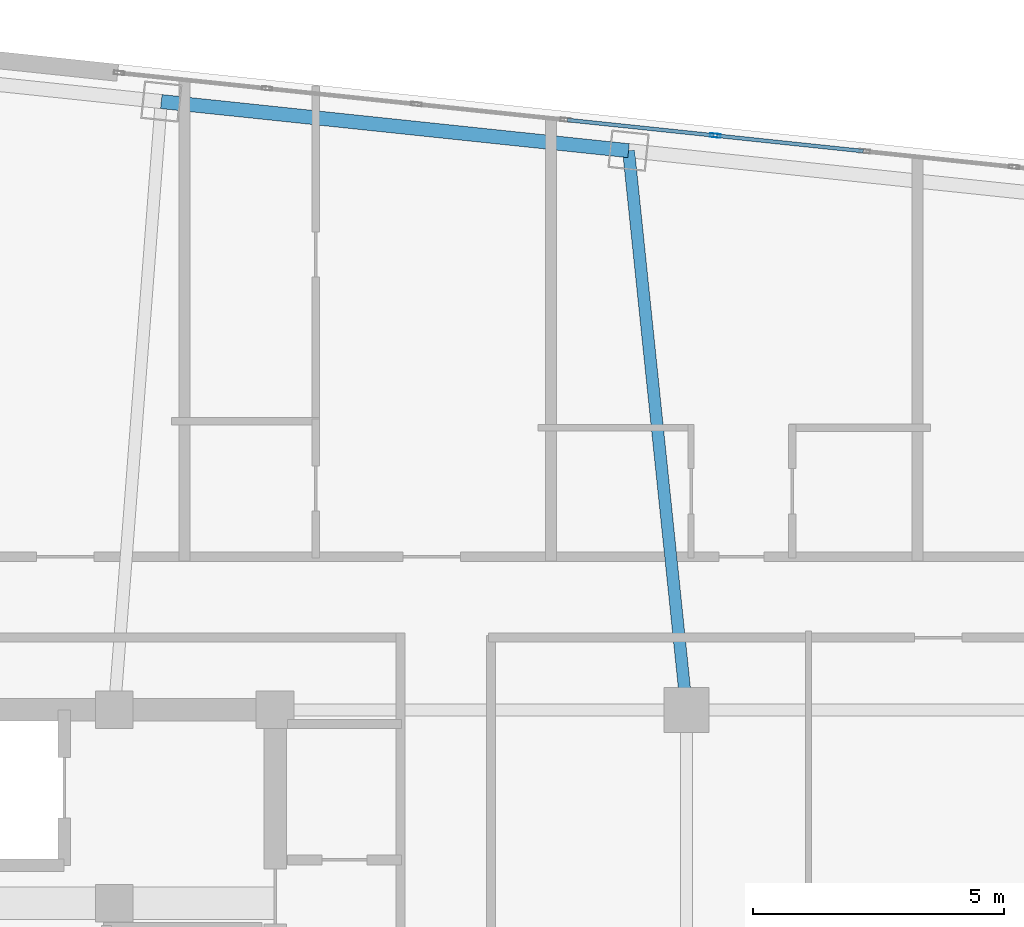
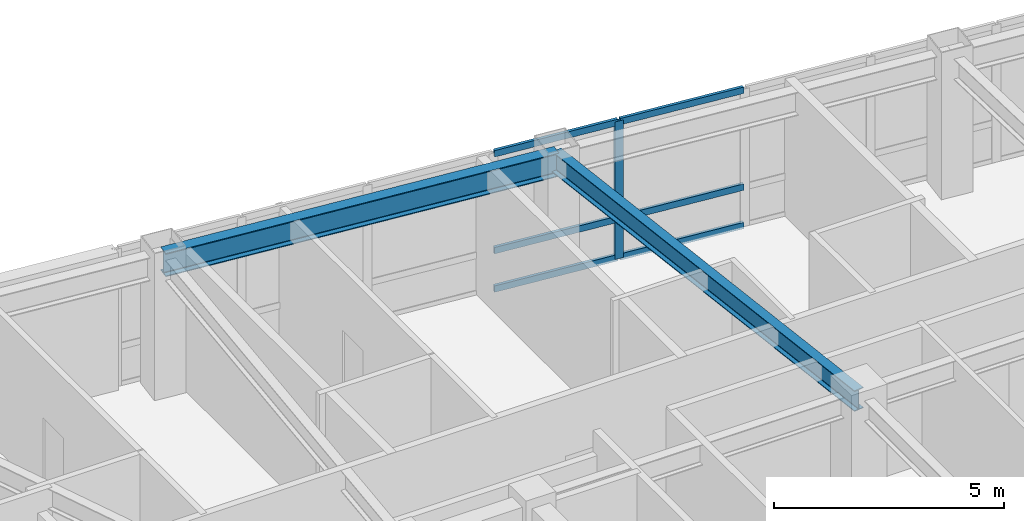
# One storey, part 3 of 15: 7 members, 2 beams, 1 element without a shape of its own.
"""IFC4 building model written with IfcOpenShell, lengths in metres."""

from ifc_helpers import new_model, si_unit, direction, frame, origin, origin_2d, place, context, subcontext, project, spatial, hollow_rectangle, i_section, extrude, material, layer, layer_set, material_profile, profile_set, type_object, element, aggregate, save


model = new_model("IFC4")

# Units and contexts
model_context = context("Model", 3, precision=1e-05, world=origin(), true_north=direction((0.0, 1.0)))
body_context = subcontext(model_context, "Body", "Model", "MODEL_VIEW")
ifc_project = project(units=[si_unit("LENGTHUNIT", "METRE"), si_unit("AREAUNIT", "SQUARE_METRE"), si_unit("VOLUMEUNIT", "CUBIC_METRE"), si_unit("PLANEANGLEUNIT", "RADIAN"), si_unit("MASSUNIT", "GRAM", prefix="KILO")], contexts=[model_context])

# Site, building, storey
site_placement = place(None, origin())
site = spatial("IfcSite", under=ifc_project, at=site_placement, CompositionType="ELEMENT")
building_placement = place(site_placement, origin())
building = spatial("IfcBuilding", under=site, at=building_placement, Name="Voryun Gate Residences", CompositionType="ELEMENT")
storey_placement = place(building_placement, frame((0.0, 0.0, 263.89990234375)))
storey = spatial("IfcBuildingStorey", under=building, at=storey_placement, Name="L65", CompositionType="ELEMENT", Elevation=263.89990234375)

# Beams
ifc_material_1 = material(Name="Steel SM355", Category="steel")
ifc_material_profile_1 = material_profile(ifc_material_1, i_section(OverallWidth=0.280029296875, OverallDepth=0.6201171875, WebThickness=0.013916015625, FlangeThickness=0.02197265625, FilletRadius=0.01806640625, at=origin_2d()), Name="H-620x280x14x22")
ifc_profile_set_1 = profile_set([ifc_material_profile_1], Name="Steel SM355")
beam_type_1 = type_object("IfcBeamType", Name="BM_EXO_SPANDREL_H", PredefinedType="SPANDREL", material=ifc_profile_set_1)
beam_1_placement = place(storey_placement, frame((-5.357177734375, 18.539794921875, 3.340087890625), z_axis=(-0.994523303591, 0.104515064059, 0.0), x_axis=(-0.104515064059, -0.994523303591, 0.0)))
element("IfcBeam", 1, at=beam_1_placement, inside=storey, type_object=beam_type_1, Name="BM-L65-SPAND-14", PredefinedType="SPANDREL", context=body_context, shape_type="SweptSolid", body=[
    extrude(i_section(OverallWidth=0.280029296875, OverallDepth=0.6201171875, WebThickness=0.013916015625, FlangeThickness=0.02197265625, FilletRadius=0.01806640625, at=origin_2d()), origin(), (0.0, 0.0, 1.0), 9.360107421875),
])
ifc_material_2 = material(Name="Steel SM355", Category="steel")
ifc_material_profile_2 = material_profile(ifc_material_2, i_section(OverallWidth=0.239990234375, OverallDepth=0.550048828125, WebThickness=0.011962890625, FlangeThickness=0.02001953125, FilletRadius=0.01806640625, at=origin_2d()), Name="H-550x240x12x20")
ifc_profile_set_2 = profile_set([ifc_material_profile_2], Name="Steel SM355")
beam_type_2 = type_object("IfcBeamType", Name="BM_GIRD_550", PredefinedType="USERDEFINED", material=ifc_profile_set_2)
beam_2_placement = place(storey_placement, frame((-4.199951171875, 7.39990234375, 3.375), z_axis=(-0.103325291149, 0.994647618109, 0.0), x_axis=(-0.994647618109, -0.103325291149, 0.0)))
element("IfcBeam", 2, at=beam_2_placement, inside=storey, type_object=beam_type_2, Name="BM-L65-RAD-N4", ObjectType="GIRDER", PredefinedType="USERDEFINED", context=body_context, shape_type="SweptSolid", body=[
    extrude(i_section(OverallWidth=0.239990234375, OverallDepth=0.550048828125, WebThickness=0.011962890625, FlangeThickness=0.02001953125, FilletRadius=0.01806640625, at=origin_2d()), origin(), (0.0, 0.0, 1.0), 11.199951171875),
])

# Curtain wall, members
ifc_material_3 = material(Name="Anodised aluminium", Category="aluminium")
ifc_layer = layer(ifc_material_3, 0.2099609375, Name="CW_SYS_SKYGARDEN_DARK_GLASS")
ifc_layer_set = layer_set([ifc_layer], Name="Anodised aluminium")
curtain_wall_type = type_object("IfcCurtainWallType", Name="CW_SYS_SKYGARDEN_DARK_GLASS", PredefinedType="NOTDEFINED", material=ifc_layer_set)
curtain_wall_placement = place(storey_placement, origin())
curtain_wall = element("IfcCurtainWall", 3, at=curtain_wall_placement, inside=storey, type_object=curtain_wall_type, Name="Curtain wall CW5-L65-SG-11", PredefinedType="NOTDEFINED")
ifc_material_4 = material(Name="Anodised aluminium", Category="aluminium")
ifc_material_profile_3 = material_profile(ifc_material_4, hollow_rectangle(XDim=0.074951171875, YDim=0.2099609375, WallThickness=0.0048828125, at=origin_2d()), Name="ALU-MULL-210x75x5")
ifc_profile_set_3 = profile_set([ifc_material_profile_3], Name="Anodised aluminium")
member_type_1 = type_object("IfcMemberType", Name="CW_MULL_SKY", PredefinedType="MULLION", material=ifc_profile_set_3)
member_1_placement = place(storey_placement, frame((-3.62939453125, 18.8408203125, 0.0), z_axis=(0.0, 0.0, 1.0), x_axis=(0.104532256285, 0.994521496699, 0.0)))
member_1 = element("IfcMember", 4, at=member_1_placement, type_object=member_type_1, Name="CW5 mullion 5", PredefinedType="MULLION", context=body_context, shape_type="SweptSolid", body=[
    extrude(hollow_rectangle(XDim=0.074951171875, YDim=0.2099609375, WallThickness=0.0048828125, at=origin_2d()), origin(), (0.0, 0.0, 1.0), 3.650146484375),
])
ifc_material_5 = material(Name="Anodised aluminium", Category="aluminium")
ifc_material_profile_4 = material_profile(ifc_material_5, hollow_rectangle(XDim=0.074951171875, YDim=0.169921875, WallThickness=0.0048828125, at=origin_2d()), Name="ALU-TRAN-170x75x5")
ifc_profile_set_4 = profile_set([ifc_material_profile_4], Name="Anodised aluminium")
member_type_2 = type_object("IfcMemberType", Name="CW_TRAN_SKY", PredefinedType="USERDEFINED", material=ifc_profile_set_4)
member_2_placement = place(storey_placement, frame((-6.576171875, 19.150634765625, 0.030029296875), z_axis=(0.994520038301, -0.104546130575, 0.0), x_axis=(0.104546130575, 0.994520038301, 0.0)))
member_2 = element("IfcMember", 5, at=member_2_placement, type_object=member_type_2, Name="CW5 transom 4.1", ObjectType="TRANSOM", PredefinedType="USERDEFINED", context=body_context, shape_type="SweptSolid", body=[
    extrude(hollow_rectangle(XDim=0.074951171875, YDim=0.169921875, WallThickness=0.0048828125, at=origin_2d()), origin(), (0.0, 0.0, 1.0), 2.93310546875),
])
member_3_placement = place(storey_placement, frame((-6.576171875, 19.150634765625, 1.050048828125), z_axis=(0.994520038301, -0.104546130575, 0.0), x_axis=(0.104546130575, 0.994520038301, 0.0)))
member_3 = element("IfcMember", 6, at=member_3_placement, type_object=member_type_2, Name="CW5 transom 4.2", ObjectType="TRANSOM", PredefinedType="USERDEFINED", context=body_context, shape_type="SweptSolid", body=[
    extrude(hollow_rectangle(XDim=0.074951171875, YDim=0.169921875, WallThickness=0.0048828125, at=origin_2d()), origin(), (0.0, 0.0, 1.0), 2.93310546875),
])
member_4_placement = place(storey_placement, frame((-6.576171875, 19.150634765625, 3.6201171875), z_axis=(0.994520038301, -0.104546130575, 0.0), x_axis=(0.104546130575, 0.994520038301, 0.0)))
member_4 = element("IfcMember", 7, at=member_4_placement, type_object=member_type_2, Name="CW5 transom 4.3", ObjectType="TRANSOM", PredefinedType="USERDEFINED", context=body_context, shape_type="SweptSolid", body=[
    extrude(hollow_rectangle(XDim=0.074951171875, YDim=0.169921875, WallThickness=0.0048828125, at=origin_2d()), origin(), (0.0, 0.0, 1.0), 2.93310546875),
])
member_5_placement = place(storey_placement, frame((-3.599365234375, 18.837646484375, 0.030029296875), z_axis=(0.994520038301, -0.104546130575, 0.0), x_axis=(0.104546130575, 0.994520038301, 0.0)))
member_5 = element("IfcMember", 8, at=member_5_placement, type_object=member_type_2, Name="CW5 transom 5.1", ObjectType="TRANSOM", PredefinedType="USERDEFINED", context=body_context, shape_type="SweptSolid", body=[
    extrude(hollow_rectangle(XDim=0.074951171875, YDim=0.169921875, WallThickness=0.0048828125, at=origin_2d()), origin(), (0.0, 0.0, 1.0), 2.93310546875),
])
member_6_placement = place(storey_placement, frame((-3.599365234375, 18.837646484375, 1.050048828125), z_axis=(0.994520038301, -0.104546130575, 0.0), x_axis=(0.104546130575, 0.994520038301, 0.0)))
member_6 = element("IfcMember", 9, at=member_6_placement, type_object=member_type_2, Name="CW5 transom 5.2", ObjectType="TRANSOM", PredefinedType="USERDEFINED", context=body_context, shape_type="SweptSolid", body=[
    extrude(hollow_rectangle(XDim=0.074951171875, YDim=0.169921875, WallThickness=0.0048828125, at=origin_2d()), origin(), (0.0, 0.0, 1.0), 2.93310546875),
])
member_7_placement = place(storey_placement, frame((-3.599365234375, 18.837646484375, 3.6201171875), z_axis=(0.994520038301, -0.104546130575, 0.0), x_axis=(0.104546130575, 0.994520038301, 0.0)))
member_7 = element("IfcMember", 10, at=member_7_placement, type_object=member_type_2, Name="CW5 transom 5.3", ObjectType="TRANSOM", PredefinedType="USERDEFINED", context=body_context, shape_type="SweptSolid", body=[
    extrude(hollow_rectangle(XDim=0.074951171875, YDim=0.169921875, WallThickness=0.0048828125, at=origin_2d()), origin(), (0.0, 0.0, 1.0), 2.93310546875),
])
aggregate(curtain_wall, [member_1, member_2, member_3, member_4, member_5, member_6, member_7])

save(model, "model.ifc")
